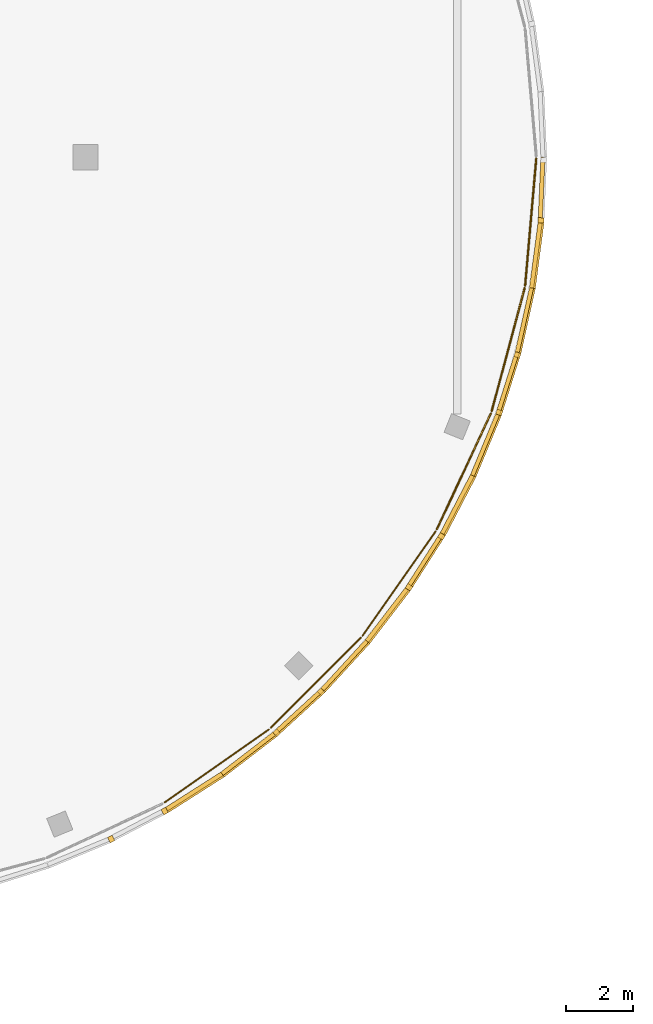
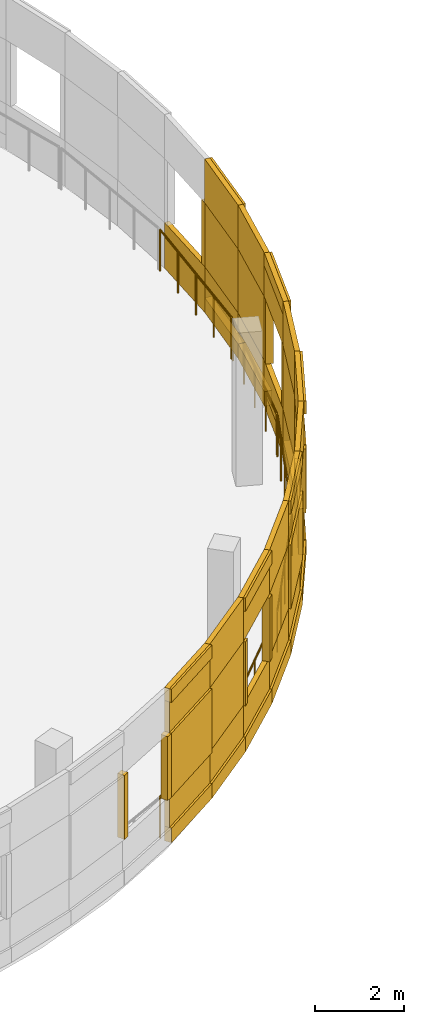
# One storey, part 86 of 88: 57 coverings, 6 railings.
"""IFC4 building model written with IfcOpenShell, lengths in metres."""

from ifc_helpers import new_model, si_unit, direction, frame, origin, origin_2d, place, context, subcontext, project, spatial, rectangle, circle, extrude, material, layer, layer_set, type_object, element, save


model = new_model("IFC4")

# Units and contexts
model_context = context("Model", 3, precision=1e-05, world=origin(), true_north=direction((0.0, 1.0)))
body_context = subcontext(model_context, "Body", "Model", "MODEL_VIEW")
ifc_project = project(units=[si_unit("LENGTHUNIT", "METRE"), si_unit("AREAUNIT", "SQUARE_METRE"), si_unit("VOLUMEUNIT", "CUBIC_METRE"), si_unit("PLANEANGLEUNIT", "RADIAN"), si_unit("MASSUNIT", "GRAM", prefix="KILO")], contexts=[model_context])

# Site, building, storey
site_placement = place(None, origin())
site = spatial("IfcSite", under=ifc_project, at=site_placement, CompositionType="ELEMENT")
building_placement = place(site_placement, origin())
building = spatial("IfcBuilding", under=site, at=building_placement, Name="Deido Ridge Mobility Hub", CompositionType="ELEMENT")
storey_placement = place(building_placement, frame((0.0, 0.0, 16.800048828125)))
storey = spatial("IfcBuildingStorey", under=building, at=storey_placement, Name="L04", CompositionType="ELEMENT", Elevation=16.800048828125)

# Coverings
ifc_material_1 = material(Name="Fired clay brick masonry", Category="masonry")
ifc_layer = layer(ifc_material_1, 0.114990234375, Name="Fired clay brick masonry")
ifc_layer_set = layer_set([ifc_layer], Name="Fired clay brick masonry")
covering_type = type_object("IfcCoveringType", Name="COV-BRK-SCREEN-115", PredefinedType="CLADDING", material=ifc_layer_set)
for number, where, z_axis, x_axis, name in (
    (1, (126.568603515625, 83.167236328125, 1.25), (0.0, 0.0, 1.0), (0.887018892077, 0.461733131905, 0.0), "Curved brick jamb nib BKS1 (L04)"),
    (2, (128.167236328125, 83.99951171875, 1.25), (0.0, 0.0, 1.0), (0.887018892077, 0.461733131905, 0.0), "Curved brick jamb nib BKS1 (L04)"),
):
    element("IfcCovering", number, at=place(storey_placement, frame(where, z_axis=z_axis, x_axis=x_axis)), inside=storey, type_object=covering_type, Name=name, PredefinedType="CLADDING", context=body_context, shape_type="SweptSolid", body=[
        extrude(rectangle(XDim=0.152099609375, YDim=0.179931640625, at=origin_2d()), origin(), (0.0, 0.0, 1.0), 1.75),
    ])
covering_1_placement = place(storey_placement, frame((129.049560546875, 84.5859375, 0.0), z_axis=(0.0, 0.0, 1.0), x_axis=(0.843382068037, 0.537314328223, 0.0)))
element("IfcCovering", 3, at=covering_1_placement, inside=storey, type_object=covering_type, Name="Open brickwork spandrel course BKS1 (L04)", PredefinedType="CLADDING", context=body_context, shape_type="SweptSolid", body=[
    extrude(rectangle(XDim=1.9619140625, YDim=0.125, at=origin_2d()), origin(), (0.0, 0.0, 1.0), 1.25),
])
covering_2_placement = place(storey_placement, frame((129.064208984375, 84.562744140625, 0.0), z_axis=(0.0, 0.0, 1.0), x_axis=(0.843382068037, 0.537314328223, 0.0)))
element("IfcCovering", 4, at=covering_2_placement, inside=storey, type_object=covering_type, Name="Raised brick relief belt BKS1 (L04)", PredefinedType="CLADDING", context=body_context, shape_type="SweptSolid", body=[
    extrude(rectangle(XDim=1.9619140625, YDim=0.179931640625, at=origin_2d()), origin(), (0.0, 0.0, 1.0), 0.39990234375),
])
covering_3_placement = place(storey_placement, frame((129.049560546875, 84.5859375, 3.0), z_axis=(0.0, 0.0, 1.0), x_axis=(0.843382068037, 0.537314328223, 0.0)))
element("IfcCovering", 5, at=covering_3_placement, inside=storey, type_object=covering_type, Name="Open brickwork lintel course BKS1 (L04)", PredefinedType="CLADDING", context=body_context, shape_type="SweptSolid", body=[
    extrude(rectangle(XDim=1.9619140625, YDim=0.125, at=origin_2d()), origin(), (0.0, 0.0, 1.0), 1.199951171875),
])
covering_4_placement = place(storey_placement, frame((129.064208984375, 84.562744140625, 3.83984375), z_axis=(0.0, 0.0, 1.0), x_axis=(0.843382068037, 0.537314328223, 0.0)))
element("IfcCovering", 6, at=covering_4_placement, inside=storey, type_object=covering_type, Name="Raised brick relief cornice BKS1 (L04)", PredefinedType="CLADDING", context=body_context, shape_type="SweptSolid", body=[
    extrude(rectangle(XDim=1.9619140625, YDim=0.179931640625, at=origin_2d()), origin(), (0.0, 0.0, 1.0), 0.360107421875),
])
covering_5_placement = place(storey_placement, frame((129.064208984375, 84.562744140625, 1.25), z_axis=(0.0, 0.0, 1.0), x_axis=(0.843382068037, 0.537314328223, 0.0)))
element("IfcCovering", 7, at=covering_5_placement, inside=storey, type_object=covering_type, Name="Curved raised brickwork pier BKS1 (L04)", PredefinedType="CLADDING", context=body_context, shape_type="SweptSolid", body=[
    extrude(rectangle(XDim=1.9619140625, YDim=0.179931640625, at=origin_2d()), origin(), (0.0, 0.0, 1.0), 1.75),
])
covering_6_placement = place(storey_placement, frame((130.652099609375, 85.7080078125, 0.0), z_axis=(0.0, 0.0, 1.0), x_axis=(0.793353340291, 0.608761429009, 0.0)))
element("IfcCovering", 8, at=covering_6_placement, inside=storey, type_object=covering_type, Name="Open brickwork spandrel course BKS1 (L04)", PredefinedType="CLADDING", context=body_context, shape_type="SweptSolid", body=[
    extrude(rectangle(XDim=1.9619140625, YDim=0.125, at=origin_2d()), origin(), (0.0, 0.0, 1.0), 1.25),
])
covering_7_placement = place(storey_placement, frame((130.6689453125, 85.686279296875, 0.0), z_axis=(0.0, 0.0, 1.0), x_axis=(0.793353340291, 0.608761429009, 0.0)))
element("IfcCovering", 9, at=covering_7_placement, inside=storey, type_object=covering_type, Name="Raised brick relief belt BKS1 (L04)", PredefinedType="CLADDING", context=body_context, shape_type="SweptSolid", body=[
    extrude(rectangle(XDim=1.9619140625, YDim=0.179931640625, at=origin_2d()), origin(), (0.0, 0.0, 1.0), 0.39990234375),
])
covering_8_placement = place(storey_placement, frame((130.652099609375, 85.7080078125, 3.0), z_axis=(0.0, 0.0, 1.0), x_axis=(0.793353340291, 0.608761429009, 0.0)))
element("IfcCovering", 10, at=covering_8_placement, inside=storey, type_object=covering_type, Name="Open brickwork lintel course BKS1 (L04)", PredefinedType="CLADDING", context=body_context, shape_type="SweptSolid", body=[
    extrude(rectangle(XDim=1.9619140625, YDim=0.125, at=origin_2d()), origin(), (0.0, 0.0, 1.0), 1.199951171875),
])
covering_9_placement = place(storey_placement, frame((130.652099609375, 85.7080078125, 1.25), z_axis=(0.0, 0.0, 1.0), x_axis=(0.793353340291, 0.608761429009, 0.0)))
element("IfcCovering", 11, at=covering_9_placement, inside=storey, type_object=covering_type, Name="Curved raised brickwork pier BKS1 (L04)", PredefinedType="CLADDING", context=body_context, shape_type="SweptSolid", body=[
    extrude(rectangle(XDim=1.9619140625, YDim=0.125, at=origin_2d()), origin(), (0.0, 0.0, 1.0), 1.75),
])
covering_10_placement = place(storey_placement, frame((132.15087890625, 86.9658203125, 0.0), z_axis=(0.0, 0.0, 1.0), x_axis=(0.737289127971, 0.675577339596, 0.0)))
element("IfcCovering", 12, at=covering_10_placement, inside=storey, type_object=covering_type, Name="Open brickwork spandrel course BKS1 (L04)", PredefinedType="CLADDING", context=body_context, shape_type="SweptSolid", body=[
    extrude(rectangle(XDim=1.9619140625, YDim=0.125, at=origin_2d()), origin(), (0.0, 0.0, 1.0), 1.25),
])
covering_11_placement = place(storey_placement, frame((132.16943359375, 86.9453125, 0.0), z_axis=(0.0, 0.0, 1.0), x_axis=(0.737289127971, 0.675577339596, 0.0)))
element("IfcCovering", 13, at=covering_11_placement, inside=storey, type_object=covering_type, Name="Raised brick relief belt BKS1 (L04)", PredefinedType="CLADDING", context=body_context, shape_type="SweptSolid", body=[
    extrude(rectangle(XDim=1.9619140625, YDim=0.179931640625, at=origin_2d()), origin(), (0.0, 0.0, 1.0), 0.39990234375),
])
covering_12_placement = place(storey_placement, frame((132.15087890625, 86.9658203125, 3.0), z_axis=(0.0, 0.0, 1.0), x_axis=(0.737289127971, 0.675577339596, 0.0)))
element("IfcCovering", 14, at=covering_12_placement, inside=storey, type_object=covering_type, Name="Open brickwork lintel course BKS1 (L04)", PredefinedType="CLADDING", context=body_context, shape_type="SweptSolid", body=[
    extrude(rectangle(XDim=1.9619140625, YDim=0.125, at=origin_2d()), origin(), (0.0, 0.0, 1.0), 1.199951171875),
])
covering_13_placement = place(storey_placement, frame((132.16943359375, 86.9453125, 3.83984375), z_axis=(0.0, 0.0, 1.0), x_axis=(0.737289127971, 0.675577339596, 0.0)))
element("IfcCovering", 15, at=covering_13_placement, inside=storey, type_object=covering_type, Name="Raised brick relief cornice BKS1 (L04)", PredefinedType="CLADDING", context=body_context, shape_type="SweptSolid", body=[
    extrude(rectangle(XDim=1.9619140625, YDim=0.179931640625, at=origin_2d()), origin(), (0.0, 0.0, 1.0), 0.360107421875),
])
for number, where, z_axis, x_axis, name in (
    (16, (131.505126953125, 86.336669921875, 1.25), (0.0, 0.0, 1.0), (0.737289127971, 0.675577339596, 0.0), "Curved brick jamb nib BKS1 (L04)"),
    (17, (132.833740234375, 87.55419921875, 1.25), (0.0, 0.0, 1.0), (0.737289127971, 0.675577339596, 0.0), "Curved brick jamb nib BKS1 (L04)"),
):
    element("IfcCovering", number, at=place(storey_placement, frame(where, z_axis=z_axis, x_axis=x_axis)), inside=storey, type_object=covering_type, Name=name, PredefinedType="CLADDING", context=body_context, shape_type="SweptSolid", body=[
        extrude(rectangle(XDim=0.152099609375, YDim=0.179931640625, at=origin_2d()), origin(), (0.0, 0.0, 1.0), 1.75),
    ])
covering_14_placement = place(storey_placement, frame((133.5341796875, 88.34912109375, 0.0), z_axis=(0.0, 0.0, 1.0), x_axis=(0.675577339596, 0.737289127971, 0.0)))
element("IfcCovering", 18, at=covering_14_placement, inside=storey, type_object=covering_type, Name="Open brickwork spandrel course BKS1 (L04)", PredefinedType="CLADDING", context=body_context, shape_type="SweptSolid", body=[
    extrude(rectangle(XDim=1.9619140625, YDim=0.125, at=origin_2d()), origin(), (0.0, 0.0, 1.0), 1.25),
])
covering_15_placement = place(storey_placement, frame((133.5546875, 88.33056640625, 0.0), z_axis=(0.0, 0.0, 1.0), x_axis=(0.675577339596, 0.737289127971, 0.0)))
element("IfcCovering", 19, at=covering_15_placement, inside=storey, type_object=covering_type, Name="Raised brick relief belt BKS1 (L04)", PredefinedType="CLADDING", context=body_context, shape_type="SweptSolid", body=[
    extrude(rectangle(XDim=1.9619140625, YDim=0.179931640625, at=origin_2d()), origin(), (0.0, 0.0, 1.0), 0.39990234375),
])
covering_16_placement = place(storey_placement, frame((133.5341796875, 88.34912109375, 3.0), z_axis=(0.0, 0.0, 1.0), x_axis=(0.675577339596, 0.737289127971, 0.0)))
element("IfcCovering", 20, at=covering_16_placement, inside=storey, type_object=covering_type, Name="Open brickwork lintel course BKS1 (L04)", PredefinedType="CLADDING", context=body_context, shape_type="SweptSolid", body=[
    extrude(rectangle(XDim=1.9619140625, YDim=0.125, at=origin_2d()), origin(), (0.0, 0.0, 1.0), 1.199951171875),
])
covering_17_placement = place(storey_placement, frame((133.5341796875, 88.34912109375, 1.25), z_axis=(0.0, 0.0, 1.0), x_axis=(0.675577339596, 0.737289127971, 0.0)))
element("IfcCovering", 21, at=covering_17_placement, inside=storey, type_object=covering_type, Name="Curved raised brickwork pier BKS1 (L04)", PredefinedType="CLADDING", context=body_context, shape_type="SweptSolid", body=[
    extrude(rectangle(XDim=1.9619140625, YDim=0.125, at=origin_2d()), origin(), (0.0, 0.0, 1.0), 1.75),
])
covering_18_placement = place(storey_placement, frame((134.7919921875, 89.847900390625, 0.0), z_axis=(0.0, 0.0, 1.0), x_axis=(0.608761429009, 0.793353340291, 0.0)))
element("IfcCovering", 22, at=covering_18_placement, inside=storey, type_object=covering_type, Name="Open brickwork spandrel course BKS1 (L04)", PredefinedType="CLADDING", context=body_context, shape_type="SweptSolid", body=[
    extrude(rectangle(XDim=1.9619140625, YDim=0.125, at=origin_2d()), origin(), (0.0, 0.0, 1.0), 1.25),
])
covering_19_placement = place(storey_placement, frame((134.813720703125, 89.8310546875, 0.0), z_axis=(0.0, 0.0, 1.0), x_axis=(0.608761429009, 0.793353340291, 0.0)))
element("IfcCovering", 23, at=covering_19_placement, inside=storey, type_object=covering_type, Name="Raised brick relief belt BKS1 (L04)", PredefinedType="CLADDING", context=body_context, shape_type="SweptSolid", body=[
    extrude(rectangle(XDim=1.9619140625, YDim=0.179931640625, at=origin_2d()), origin(), (0.0, 0.0, 1.0), 0.39990234375),
])
covering_20_placement = place(storey_placement, frame((134.7919921875, 89.847900390625, 3.0), z_axis=(0.0, 0.0, 1.0), x_axis=(0.608761429009, 0.793353340291, 0.0)))
element("IfcCovering", 24, at=covering_20_placement, inside=storey, type_object=covering_type, Name="Open brickwork lintel course BKS1 (L04)", PredefinedType="CLADDING", context=body_context, shape_type="SweptSolid", body=[
    extrude(rectangle(XDim=1.9619140625, YDim=0.125, at=origin_2d()), origin(), (0.0, 0.0, 1.0), 1.199951171875),
])
covering_21_placement = place(storey_placement, frame((134.813720703125, 89.8310546875, 3.83984375), z_axis=(0.0, 0.0, 1.0), x_axis=(0.608761429009, 0.793353340291, 0.0)))
element("IfcCovering", 25, at=covering_21_placement, inside=storey, type_object=covering_type, Name="Raised brick relief cornice BKS1 (L04)", PredefinedType="CLADDING", context=body_context, shape_type="SweptSolid", body=[
    extrude(rectangle(XDim=1.9619140625, YDim=0.179931640625, at=origin_2d()), origin(), (0.0, 0.0, 1.0), 0.360107421875),
])
covering_22_placement = place(storey_placement, frame((134.813720703125, 89.8310546875, 1.25), z_axis=(0.0, 0.0, 1.0), x_axis=(0.608761429009, 0.793353340291, 0.0)))
element("IfcCovering", 26, at=covering_22_placement, inside=storey, type_object=covering_type, Name="Curved raised brickwork pier BKS1 (L04)", PredefinedType="CLADDING", context=body_context, shape_type="SweptSolid", body=[
    extrude(rectangle(XDim=1.9619140625, YDim=0.179931640625, at=origin_2d()), origin(), (0.0, 0.0, 1.0), 1.75),
])
covering_23_placement = place(storey_placement, frame((135.9140625, 91.450439453125, 0.0), z_axis=(0.0, 0.0, 1.0), x_axis=(0.537314328223, 0.843382068037, 0.0)))
element("IfcCovering", 27, at=covering_23_placement, inside=storey, type_object=covering_type, Name="Open brickwork spandrel course BKS1 (L04)", PredefinedType="CLADDING", context=body_context, shape_type="SweptSolid", body=[
    extrude(rectangle(XDim=1.9619140625, YDim=0.125, at=origin_2d()), origin(), (0.0, 0.0, 1.0), 1.25),
])
covering_24_placement = place(storey_placement, frame((135.937255859375, 91.435791015625, 0.0), z_axis=(0.0, 0.0, 1.0), x_axis=(0.537314328223, 0.843382068037, 0.0)))
element("IfcCovering", 28, at=covering_24_placement, inside=storey, type_object=covering_type, Name="Raised brick relief belt BKS1 (L04)", PredefinedType="CLADDING", context=body_context, shape_type="SweptSolid", body=[
    extrude(rectangle(XDim=1.9619140625, YDim=0.179931640625, at=origin_2d()), origin(), (0.0, 0.0, 1.0), 0.39990234375),
])
covering_25_placement = place(storey_placement, frame((135.9140625, 91.450439453125, 3.0), z_axis=(0.0, 0.0, 1.0), x_axis=(0.537314328223, 0.843382068037, 0.0)))
element("IfcCovering", 29, at=covering_25_placement, inside=storey, type_object=covering_type, Name="Open brickwork lintel course BKS1 (L04)", PredefinedType="CLADDING", context=body_context, shape_type="SweptSolid", body=[
    extrude(rectangle(XDim=1.9619140625, YDim=0.125, at=origin_2d()), origin(), (0.0, 0.0, 1.0), 1.199951171875),
])
for number, where, z_axis, x_axis, name in (
    (30, (135.453125, 90.67578125, 1.25), (0.0, 0.0, 1.0), (0.537314328223, 0.843382068037, 0.0), "Curved brick jamb nib BKS1 (L04)"),
    (31, (136.42138671875, 92.195556640625, 1.25), (0.0, 0.0, 1.0), (0.537314328223, 0.843382068037, 0.0), "Curved brick jamb nib BKS1 (L04)"),
):
    element("IfcCovering", number, at=place(storey_placement, frame(where, z_axis=z_axis, x_axis=x_axis)), inside=storey, type_object=covering_type, Name=name, PredefinedType="CLADDING", context=body_context, shape_type="SweptSolid", body=[
        extrude(rectangle(XDim=0.152099609375, YDim=0.179931640625, at=origin_2d()), origin(), (0.0, 0.0, 1.0), 1.75),
    ])
covering_26_placement = place(storey_placement, frame((136.892333984375, 93.144775390625, 0.0), z_axis=(0.0, 0.0, 1.0), x_axis=(0.461733131905, 0.887018892077, 0.0)))
element("IfcCovering", 32, at=covering_26_placement, inside=storey, type_object=covering_type, Name="Open brickwork spandrel course BKS1 (L04)", PredefinedType="CLADDING", context=body_context, shape_type="SweptSolid", body=[
    extrude(rectangle(XDim=1.9619140625, YDim=0.125, at=origin_2d()), origin(), (0.0, 0.0, 1.0), 1.25),
])
covering_27_placement = place(storey_placement, frame((136.916748046875, 93.132080078125, 0.0), z_axis=(0.0, 0.0, 1.0), x_axis=(0.461733131905, 0.887018892077, 0.0)))
element("IfcCovering", 33, at=covering_27_placement, inside=storey, type_object=covering_type, Name="Raised brick relief belt BKS1 (L04)", PredefinedType="CLADDING", context=body_context, shape_type="SweptSolid", body=[
    extrude(rectangle(XDim=1.9619140625, YDim=0.179931640625, at=origin_2d()), origin(), (0.0, 0.0, 1.0), 0.39990234375),
])
covering_28_placement = place(storey_placement, frame((136.892333984375, 93.144775390625, 3.0), z_axis=(0.0, 0.0, 1.0), x_axis=(0.461733131905, 0.887018892077, 0.0)))
element("IfcCovering", 34, at=covering_28_placement, inside=storey, type_object=covering_type, Name="Open brickwork lintel course BKS1 (L04)", PredefinedType="CLADDING", context=body_context, shape_type="SweptSolid", body=[
    extrude(rectangle(XDim=1.9619140625, YDim=0.125, at=origin_2d()), origin(), (0.0, 0.0, 1.0), 1.199951171875),
])
covering_29_placement = place(storey_placement, frame((136.916748046875, 93.132080078125, 3.83984375), z_axis=(0.0, 0.0, 1.0), x_axis=(0.461733131905, 0.887018892077, 0.0)))
element("IfcCovering", 35, at=covering_29_placement, inside=storey, type_object=covering_type, Name="Raised brick relief cornice BKS1 (L04)", PredefinedType="CLADDING", context=body_context, shape_type="SweptSolid", body=[
    extrude(rectangle(XDim=1.9619140625, YDim=0.179931640625, at=origin_2d()), origin(), (0.0, 0.0, 1.0), 0.360107421875),
])
covering_30_placement = place(storey_placement, frame((136.916748046875, 93.132080078125, 1.25), z_axis=(0.0, 0.0, 1.0), x_axis=(0.461733131905, 0.887018892077, 0.0)))
element("IfcCovering", 36, at=covering_30_placement, inside=storey, type_object=covering_type, Name="Curved raised brickwork pier BKS1 (L04)", PredefinedType="CLADDING", context=body_context, shape_type="SweptSolid", body=[
    extrude(rectangle(XDim=1.9619140625, YDim=0.179931640625, at=origin_2d()), origin(), (0.0, 0.0, 1.0), 1.75),
])
covering_31_placement = place(storey_placement, frame((137.718994140625, 94.91796875, 0.0), z_axis=(0.0, 0.0, 1.0), x_axis=(0.382699557047, 0.923872853285, 0.0)))
element("IfcCovering", 37, at=covering_31_placement, inside=storey, type_object=covering_type, Name="Open brickwork spandrel course BKS1 (L04)", PredefinedType="CLADDING", context=body_context, shape_type="SweptSolid", body=[
    extrude(rectangle(XDim=1.9619140625, YDim=0.125, at=origin_2d()), origin(), (0.0, 0.0, 1.0), 1.25),
])
covering_32_placement = place(storey_placement, frame((137.744384765625, 94.9072265625, 0.0), z_axis=(0.0, 0.0, 1.0), x_axis=(0.382699557047, 0.923872853285, 0.0)))
element("IfcCovering", 38, at=covering_32_placement, inside=storey, type_object=covering_type, Name="Raised brick relief belt BKS1 (L04)", PredefinedType="CLADDING", context=body_context, shape_type="SweptSolid", body=[
    extrude(rectangle(XDim=1.9619140625, YDim=0.179931640625, at=origin_2d()), origin(), (0.0, 0.0, 1.0), 0.39990234375),
])
covering_33_placement = place(storey_placement, frame((137.718994140625, 94.91796875, 3.0), z_axis=(0.0, 0.0, 1.0), x_axis=(0.382699557047, 0.923872853285, 0.0)))
element("IfcCovering", 39, at=covering_33_placement, inside=storey, type_object=covering_type, Name="Open brickwork lintel course BKS1 (L04)", PredefinedType="CLADDING", context=body_context, shape_type="SweptSolid", body=[
    extrude(rectangle(XDim=1.9619140625, YDim=0.125, at=origin_2d()), origin(), (0.0, 0.0, 1.0), 1.199951171875),
])
covering_34_placement = place(storey_placement, frame((137.718994140625, 94.91796875, 1.25), z_axis=(0.0, 0.0, 1.0), x_axis=(0.382699557047, 0.923872853285, 0.0)))
element("IfcCovering", 40, at=covering_34_placement, inside=storey, type_object=covering_type, Name="Curved raised brickwork pier BKS1 (L04)", PredefinedType="CLADDING", context=body_context, shape_type="SweptSolid", body=[
    extrude(rectangle(XDim=1.9619140625, YDim=0.125, at=origin_2d()), origin(), (0.0, 0.0, 1.0), 1.75),
])
covering_35_placement = place(storey_placement, frame((138.38818359375, 96.75634765625, 0.0), z_axis=(0.0, 0.0, 1.0), x_axis=(0.300672508319, 0.95372744678, 0.0)))
element("IfcCovering", 41, at=covering_35_placement, inside=storey, type_object=covering_type, Name="Open brickwork spandrel course BKS1 (L04)", PredefinedType="CLADDING", context=body_context, shape_type="SweptSolid", body=[
    extrude(rectangle(XDim=1.9619140625, YDim=0.125, at=origin_2d()), origin(), (0.0, 0.0, 1.0), 1.25),
])
covering_36_placement = place(storey_placement, frame((138.414306640625, 96.748046875, 0.0), z_axis=(0.0, 0.0, 1.0), x_axis=(0.300672508319, 0.95372744678, 0.0)))
element("IfcCovering", 42, at=covering_36_placement, inside=storey, type_object=covering_type, Name="Raised brick relief belt BKS1 (L04)", PredefinedType="CLADDING", context=body_context, shape_type="SweptSolid", body=[
    extrude(rectangle(XDim=1.9619140625, YDim=0.179931640625, at=origin_2d()), origin(), (0.0, 0.0, 1.0), 0.39990234375),
])
covering_37_placement = place(storey_placement, frame((138.38818359375, 96.75634765625, 3.0), z_axis=(0.0, 0.0, 1.0), x_axis=(0.300672508319, 0.95372744678, 0.0)))
element("IfcCovering", 43, at=covering_37_placement, inside=storey, type_object=covering_type, Name="Open brickwork lintel course BKS1 (L04)", PredefinedType="CLADDING", context=body_context, shape_type="SweptSolid", body=[
    extrude(rectangle(XDim=1.9619140625, YDim=0.125, at=origin_2d()), origin(), (0.0, 0.0, 1.0), 1.199951171875),
])
covering_38_placement = place(storey_placement, frame((138.414306640625, 96.748046875, 3.83984375), z_axis=(0.0, 0.0, 1.0), x_axis=(0.300672508319, 0.95372744678, 0.0)))
element("IfcCovering", 44, at=covering_38_placement, inside=storey, type_object=covering_type, Name="Raised brick relief cornice BKS1 (L04)", PredefinedType="CLADDING", context=body_context, shape_type="SweptSolid", body=[
    extrude(rectangle(XDim=1.9619140625, YDim=0.179931640625, at=origin_2d()), origin(), (0.0, 0.0, 1.0), 0.360107421875),
])
for number, where, z_axis, x_axis, name in (
    (45, (138.1435546875, 95.888671875, 1.25), (0.0, 0.0, 1.0), (0.300672508319, 0.95372744678, 0.0), "Curved brick jamb nib BKS1 (L04)"),
    (46, (138.685302734375, 97.607421875, 1.25), (0.0, 0.0, 1.0), (0.300672508319, 0.95372744678, 0.0), "Curved brick jamb nib BKS1 (L04)"),
):
    element("IfcCovering", number, at=place(storey_placement, frame(where, z_axis=z_axis, x_axis=x_axis)), inside=storey, type_object=covering_type, Name=name, PredefinedType="CLADDING", context=body_context, shape_type="SweptSolid", body=[
        extrude(rectangle(XDim=0.152099609375, YDim=0.179931640625, at=origin_2d()), origin(), (0.0, 0.0, 1.0), 1.75),
    ])
covering_39_placement = place(storey_placement, frame((138.89453125, 98.64599609375, 0.0), z_axis=(0.0, 0.0, 1.0), x_axis=(0.216456653485, 0.976292229387, 0.0)))
element("IfcCovering", 47, at=covering_39_placement, inside=storey, type_object=covering_type, Name="Open brickwork spandrel course BKS1 (L04)", PredefinedType="CLADDING", context=body_context, shape_type="SweptSolid", body=[
    extrude(rectangle(XDim=1.9619140625, YDim=0.125, at=origin_2d()), origin(), (0.0, 0.0, 1.0), 1.25),
])
covering_40_placement = place(storey_placement, frame((138.92138671875, 98.64013671875, 0.0), z_axis=(0.0, 0.0, 1.0), x_axis=(0.216456653485, 0.976292229387, 0.0)))
element("IfcCovering", 48, at=covering_40_placement, inside=storey, type_object=covering_type, Name="Raised brick relief belt BKS1 (L04)", PredefinedType="CLADDING", context=body_context, shape_type="SweptSolid", body=[
    extrude(rectangle(XDim=1.9619140625, YDim=0.179931640625, at=origin_2d()), origin(), (0.0, 0.0, 1.0), 0.39990234375),
])
covering_41_placement = place(storey_placement, frame((138.89453125, 98.64599609375, 3.0), z_axis=(0.0, 0.0, 1.0), x_axis=(0.216456653485, 0.976292229387, 0.0)))
element("IfcCovering", 49, at=covering_41_placement, inside=storey, type_object=covering_type, Name="Open brickwork lintel course BKS1 (L04)", PredefinedType="CLADDING", context=body_context, shape_type="SweptSolid", body=[
    extrude(rectangle(XDim=1.9619140625, YDim=0.125, at=origin_2d()), origin(), (0.0, 0.0, 1.0), 1.199951171875),
])
covering_42_placement = place(storey_placement, frame((138.89453125, 98.64599609375, 1.25), z_axis=(0.0, 0.0, 1.0), x_axis=(0.216456653485, 0.976292229387, 0.0)))
element("IfcCovering", 50, at=covering_42_placement, inside=storey, type_object=covering_type, Name="Curved raised brickwork pier BKS1 (L04)", PredefinedType="CLADDING", context=body_context, shape_type="SweptSolid", body=[
    extrude(rectangle(XDim=1.9619140625, YDim=0.125, at=origin_2d()), origin(), (0.0, 0.0, 1.0), 1.75),
])
covering_43_placement = place(storey_placement, frame((139.234375, 100.57275390625, 0.0), z_axis=(0.0, 0.0, 1.0), x_axis=(0.130543496177, 0.991442583111, 0.0)))
element("IfcCovering", 51, at=covering_43_placement, inside=storey, type_object=covering_type, Name="Open brickwork spandrel course BKS1 (L04)", PredefinedType="CLADDING", context=body_context, shape_type="SweptSolid", body=[
    extrude(rectangle(XDim=1.9619140625, YDim=0.125, at=origin_2d()), origin(), (0.0, 0.0, 1.0), 1.25),
])
covering_44_placement = place(storey_placement, frame((139.26171875, 100.569091796875, 0.0), z_axis=(0.0, 0.0, 1.0), x_axis=(0.130543496177, 0.991442583111, 0.0)))
element("IfcCovering", 52, at=covering_44_placement, inside=storey, type_object=covering_type, Name="Raised brick relief belt BKS1 (L04)", PredefinedType="CLADDING", context=body_context, shape_type="SweptSolid", body=[
    extrude(rectangle(XDim=1.9619140625, YDim=0.179931640625, at=origin_2d()), origin(), (0.0, 0.0, 1.0), 0.39990234375),
])
covering_45_placement = place(storey_placement, frame((139.234375, 100.57275390625, 3.0), z_axis=(0.0, 0.0, 1.0), x_axis=(0.130543496177, 0.991442583111, 0.0)))
element("IfcCovering", 53, at=covering_45_placement, inside=storey, type_object=covering_type, Name="Open brickwork lintel course BKS1 (L04)", PredefinedType="CLADDING", context=body_context, shape_type="SweptSolid", body=[
    extrude(rectangle(XDim=1.9619140625, YDim=0.125, at=origin_2d()), origin(), (0.0, 0.0, 1.0), 1.199951171875),
])
covering_46_placement = place(storey_placement, frame((139.26171875, 100.569091796875, 3.83984375), z_axis=(0.0, 0.0, 1.0), x_axis=(0.130543496177, 0.991442583111, 0.0)))
element("IfcCovering", 54, at=covering_46_placement, inside=storey, type_object=covering_type, Name="Raised brick relief cornice BKS1 (L04)", PredefinedType="CLADDING", context=body_context, shape_type="SweptSolid", body=[
    extrude(rectangle(XDim=1.9619140625, YDim=0.179931640625, at=origin_2d()), origin(), (0.0, 0.0, 1.0), 0.360107421875),
])
covering_47_placement = place(storey_placement, frame((139.26171875, 100.569091796875, 1.25), z_axis=(0.0, 0.0, 1.0), x_axis=(0.130543496177, 0.991442583111, 0.0)))
element("IfcCovering", 55, at=covering_47_placement, inside=storey, type_object=covering_type, Name="Curved raised brickwork pier BKS1 (L04)", PredefinedType="CLADDING", context=body_context, shape_type="SweptSolid", body=[
    extrude(rectangle(XDim=1.9619140625, YDim=0.179931640625, at=origin_2d()), origin(), (0.0, 0.0, 1.0), 1.75),
])
covering_48_placement = place(storey_placement, frame((139.40478515625, 102.521728515625, 0.0), z_axis=(0.0, 0.0, 1.0), x_axis=(0.043601950678, 0.999048982732, 0.0)))
element("IfcCovering", 56, at=covering_48_placement, inside=storey, type_object=covering_type, Name="Open brickwork spandrel course BKS1 (L04)", PredefinedType="CLADDING", context=body_context, shape_type="SweptSolid", body=[
    extrude(rectangle(XDim=1.9619140625, YDim=0.125, at=origin_2d()), origin(), (0.0, 0.0, 1.0), 1.25),
])
covering_49_placement = place(storey_placement, frame((139.39306640625, 101.620361328125, 1.25), z_axis=(0.0, 0.0, 1.0), x_axis=(0.043601950678, 0.999048982732, 0.0)))
element("IfcCovering", 57, at=covering_49_placement, inside=storey, type_object=covering_type, Name="Curved brick jamb nib BKS1 (L04)", PredefinedType="CLADDING", context=body_context, shape_type="SweptSolid", body=[
    extrude(rectangle(XDim=0.152099609375, YDim=0.179931640625, at=origin_2d()), origin(), (0.0, 0.0, 1.0), 1.75),
])

# Railings
ifc_material_2 = material(Name="Galvanised steel work", Category="steel")
railing_type = type_object("IfcRailingType", Name="RL-GRD-EXT-1150", PredefinedType="GUARDRAIL", material=ifc_material_2)
railing_1_placement = place(storey_placement, frame((128.15771484375, 84.25390625, 0.0)))
element("IfcRailing", 58, at=railing_1_placement, inside=storey, type_object=railing_type, Name="Parking drum perimeter guard (L04)", PredefinedType="GUARDRAIL", context=body_context, shape_type="SweptSolid", body=[
    extrude(circle(Radius=0.02392578125, at=origin_2d()), frame((0.0, 0.0, 1.1259765625), z_axis=(0.819156425271, 0.573570179609, 0.0), x_axis=(-0.573570179609, 0.819156425271, 0.0)), (0.0, 0.0, 1.0), 3.798583984375),
    extrude(circle(Radius=0.02099609375, at=origin_2d()), origin(), (0.0, 0.0, 1.0), 1.101806640625),
    extrude(circle(Radius=0.02099609375, at=origin_2d()), frame((0.77783203125, 0.544677734375, 0.0)), (0.0, 0.0, 1.0), 1.101806640625),
    extrude(circle(Radius=0.02099609375, at=origin_2d()), frame((1.5556640625, 1.08935546875, 0.0)), (0.0, 0.0, 1.0), 1.101806640625),
    extrude(circle(Radius=0.02099609375, at=origin_2d()), frame((2.333740234375, 1.634033203125, 0.0)), (0.0, 0.0, 1.0), 1.101806640625),
    extrude(circle(Radius=0.02099609375, at=origin_2d()), frame((3.111572265625, 2.1787109375, 0.0)), (0.0, 0.0, 1.0), 1.101806640625),
])
railing_2_placement = place(storey_placement, frame((131.330322265625, 86.48388671875, 0.0)))
element("IfcRailing", 59, at=railing_2_placement, inside=storey, type_object=railing_type, Name="Parking drum perimeter guard (L04)", PredefinedType="GUARDRAIL", context=body_context, shape_type="SweptSolid", body=[
    extrude(circle(Radius=0.02392578125, at=origin_2d()), frame((0.0, 0.0, 1.1259765625), z_axis=(0.707106781187, 0.707106781187, 0.0), x_axis=(-0.707106781187, 0.707106781187, 0.0)), (0.0, 0.0, 1.0), 3.79833984375),
    extrude(circle(Radius=0.02099609375, at=origin_2d()), origin(), (0.0, 0.0, 1.0), 1.101806640625),
    extrude(circle(Radius=0.02099609375, at=origin_2d()), frame((0.67138671875, 0.67138671875, 0.0)), (0.0, 0.0, 1.0), 1.101806640625),
    extrude(circle(Radius=0.02099609375, at=origin_2d()), frame((1.3427734375, 1.3427734375, 0.0)), (0.0, 0.0, 1.0), 1.101806640625),
    extrude(circle(Radius=0.02099609375, at=origin_2d()), frame((2.014404296875, 2.014404296875, 0.0)), (0.0, 0.0, 1.0), 1.101806640625),
    extrude(circle(Radius=0.02099609375, at=origin_2d()), frame((2.685791015625, 2.685791015625, 0.0)), (0.0, 0.0, 1.0), 1.101806640625),
])
railing_3_placement = place(storey_placement, frame((134.0673828125, 89.230712890625, 0.0)))
element("IfcRailing", 60, at=railing_3_placement, inside=storey, type_object=railing_type, Name="Parking drum perimeter guard (L04)", PredefinedType="GUARDRAIL", context=body_context, shape_type="SweptSolid", body=[
    extrude(circle(Radius=0.02392578125, at=origin_2d()), frame((0.0, 0.0, 1.1259765625), z_axis=(0.573570179609, 0.819156425271, 0.0), x_axis=(-0.819156425271, 0.573570179609, 0.0)), (0.0, 0.0, 1.0), 3.798583984375),
    extrude(circle(Radius=0.02099609375, at=origin_2d()), origin(), (0.0, 0.0, 1.0), 1.101806640625),
    extrude(circle(Radius=0.02099609375, at=origin_2d()), frame((0.544677734375, 0.77783203125, 0.0)), (0.0, 0.0, 1.0), 1.101806640625),
    extrude(circle(Radius=0.02099609375, at=origin_2d()), frame((1.08935546875, 1.5556640625, 0.0)), (0.0, 0.0, 1.0), 1.101806640625),
    extrude(circle(Radius=0.02099609375, at=origin_2d()), frame((1.634033203125, 2.333740234375, 0.0)), (0.0, 0.0, 1.0), 1.101806640625),
    extrude(circle(Radius=0.02099609375, at=origin_2d()), frame((2.1787109375, 3.111572265625, 0.0)), (0.0, 0.0, 1.0), 1.101806640625),
])
railing_4_placement = place(storey_placement, frame((136.285888671875, 92.411376953125, 0.0)))
element("IfcRailing", 61, at=railing_4_placement, inside=storey, type_object=railing_type, Name="Parking drum perimeter guard (L04)", PredefinedType="GUARDRAIL", context=body_context, shape_type="SweptSolid", body=[
    extrude(circle(Radius=0.02392578125, at=origin_2d()), frame((0.0, 0.0, 1.1259765625), z_axis=(0.422674330627, 0.906281639574, 0.0), x_axis=(-0.906281639574, 0.422674330627, 0.0)), (0.0, 0.0, 1.0), 3.79833984375),
    extrude(circle(Radius=0.02099609375, at=origin_2d()), origin(), (0.0, 0.0, 1.0), 1.101806640625),
    extrude(circle(Radius=0.02099609375, at=origin_2d()), frame((0.4013671875, 0.860595703125, 0.0)), (0.0, 0.0, 1.0), 1.101806640625),
    extrude(circle(Radius=0.02099609375, at=origin_2d()), frame((0.802734375, 1.72119140625, 0.0)), (0.0, 0.0, 1.0), 1.101806640625),
    extrude(circle(Radius=0.02099609375, at=origin_2d()), frame((1.2041015625, 2.581787109375, 0.0)), (0.0, 0.0, 1.0), 1.101806640625),
    extrude(circle(Radius=0.02099609375, at=origin_2d()), frame((1.60546875, 3.4423828125, 0.0)), (0.0, 0.0, 1.0), 1.101806640625),
])
railing_5_placement = place(storey_placement, frame((137.918701171875, 95.9287109375, 0.0)))
element("IfcRailing", 62, at=railing_5_placement, inside=storey, type_object=railing_type, Name="Parking drum perimeter guard (L04)", PredefinedType="GUARDRAIL", context=body_context, shape_type="SweptSolid", body=[
    extrude(circle(Radius=0.02392578125, at=origin_2d()), frame((0.0, 0.0, 1.1259765625), z_axis=(0.258774639064, 0.965937723757, 0.0), x_axis=(-0.965937723757, 0.258774639064, 0.0)), (0.0, 0.0, 1.0), 3.79833984375),
    extrude(circle(Radius=0.02099609375, at=origin_2d()), origin(), (0.0, 0.0, 1.0), 1.101806640625),
    extrude(circle(Radius=0.02099609375, at=origin_2d()), frame((0.24560546875, 0.917236328125, 0.0)), (0.0, 0.0, 1.0), 1.101806640625),
    extrude(circle(Radius=0.02099609375, at=origin_2d()), frame((0.491455078125, 1.83447265625, 0.0)), (0.0, 0.0, 1.0), 1.101806640625),
    extrude(circle(Radius=0.02099609375, at=origin_2d()), frame((0.7373046875, 2.751708984375, 0.0)), (0.0, 0.0, 1.0), 1.101806640625),
    extrude(circle(Radius=0.02099609375, at=origin_2d()), frame((0.98291015625, 3.6689453125, 0.0)), (0.0, 0.0, 1.0), 1.101806640625),
])
railing_6_placement = place(storey_placement, frame((138.91552734375, 99.676025390625, 0.0)))
element("IfcRailing", 63, at=railing_6_placement, inside=storey, type_object=railing_type, Name="Parking drum perimeter guard (L04)", PredefinedType="GUARDRAIL", context=body_context, shape_type="SweptSolid", body=[
    extrude(circle(Radius=0.02392578125, at=origin_2d()), frame((0.0, 0.0, 1.1259765625), z_axis=(0.08715100469, 0.996195112607, 0.0), x_axis=(-0.996195112607, 0.08715100469, 0.0)), (0.0, 0.0, 1.0), 3.798583984375),
    extrude(circle(Radius=0.02099609375, at=origin_2d()), origin(), (0.0, 0.0, 1.0), 1.101806640625),
    extrude(circle(Radius=0.02099609375, at=origin_2d()), frame((0.082763671875, 0.946044921875, 0.0)), (0.0, 0.0, 1.0), 1.101806640625),
    extrude(circle(Radius=0.02099609375, at=origin_2d()), frame((0.16552734375, 1.89208984375, 0.0)), (0.0, 0.0, 1.0), 1.101806640625),
    extrude(circle(Radius=0.02099609375, at=origin_2d()), frame((0.248291015625, 2.838134765625, 0.0)), (0.0, 0.0, 1.0), 1.101806640625),
    extrude(circle(Radius=0.02099609375, at=origin_2d()), frame((0.3310546875, 3.7841796875, 0.0)), (0.0, 0.0, 1.0), 1.101806640625),
])

save(model, "model.ifc")
